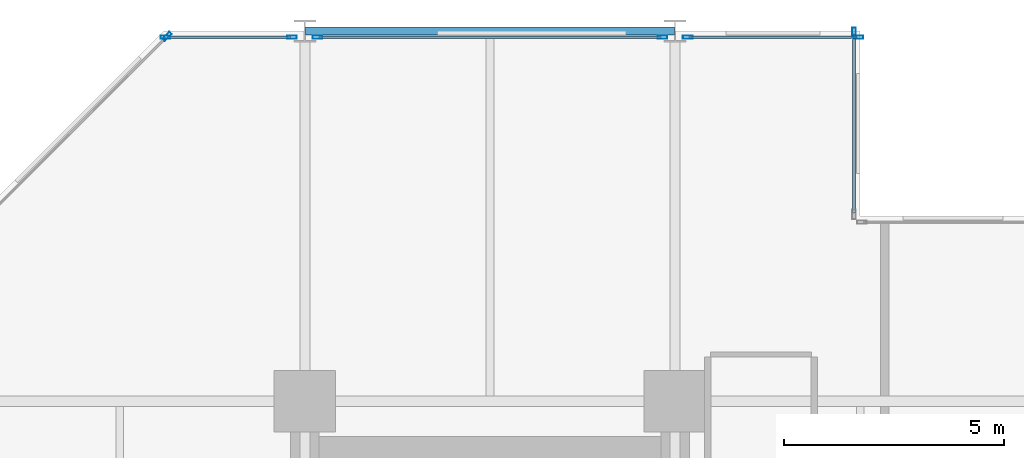
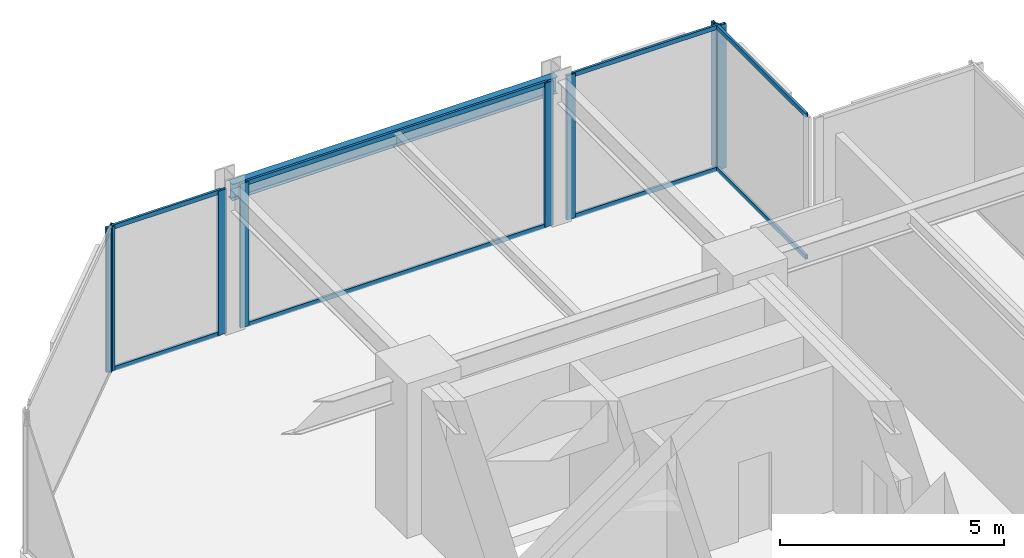
# One storey, part 19 of 26: 16 members, 1 beam, 5 elements without a shape of their own.
"""IFC4 building model written with IfcOpenShell, lengths in metres."""

from ifc_helpers import new_model, si_unit, direction, frame, origin, origin_2d, place, context, subcontext, project, spatial, hollow_rectangle, i_section, extrude, material, layer, layer_set, material_profile, profile_set, type_object, element, aggregate, save


model = new_model("IFC4")

# Units and contexts
model_context = context("Model", 3, precision=1e-05, world=origin(), true_north=direction((0.0, 1.0)))
body_context = subcontext(model_context, "Body", "Model", "MODEL_VIEW")
ifc_project = project(units=[si_unit("LENGTHUNIT", "METRE"), si_unit("AREAUNIT", "SQUARE_METRE"), si_unit("VOLUMEUNIT", "CUBIC_METRE"), si_unit("PLANEANGLEUNIT", "RADIAN"), si_unit("MASSUNIT", "GRAM", prefix="KILO")], contexts=[model_context])

# Site, building, storey
site_placement = place(None, origin())
site = spatial("IfcSite", under=ifc_project, at=site_placement, CompositionType="ELEMENT")
building_placement = place(site_placement, origin())
building = spatial("IfcBuilding", under=site, at=building_placement, Name="Nerrivon Quay Data Exchange", CompositionType="ELEMENT")
storey_placement = place(building_placement, frame((0.0, 0.0, 71.0)))
storey = spatial("IfcBuildingStorey", under=building, at=storey_placement, Name="L16", CompositionType="ELEMENT", Elevation=71.0)

# Beam
ifc_material_1 = material(Name="Steel Grade 350", Category="steel")
ifc_material_profile_1 = material_profile(ifc_material_1, i_section(OverallWidth=0.18994140625, OverallDepth=0.4541015625, WebThickness=0.008544921875, FlangeThickness=0.0126953125, FilletRadius=0.011474609375, at=origin_2d()), Name="460UB67.1")
ifc_profile_set_1 = profile_set([ifc_material_profile_1], Name="Steel Grade 350")
beam_type = type_object("IfcBeamType", Name="BM-SP1-460UB67", PredefinedType="SPANDREL", material=ifc_profile_set_1)
beam_placement = place(storey_placement, frame((8.4140625, 50.39990234375, 3.697998046875), z_axis=(1.0, 0.0, 0.0), x_axis=(0.0, 1.0, 0.0)))
element("IfcBeam", 1, at=beam_placement, inside=storey, type_object=beam_type, Name="L16 EW Girder Y=50.4 (8.4..16.8)", PredefinedType="SPANDREL", context=body_context, shape_type="SweptSolid", body=[
    extrude(i_section(OverallWidth=0.18994140625, OverallDepth=0.4541015625, WebThickness=0.008544921875, FlangeThickness=0.0126953125, FilletRadius=0.011474609375, at=origin_2d()), origin(), (0.0, 0.0, 1.0), 8.371826171875),
])

# Curtain wall, member
ifc_material_2 = material(Name="Anodised aluminium 6063-T6", Category="aluminium")
ifc_layer = layer(ifc_material_2, 0.219970703125)
ifc_layer_set = layer_set([ifc_layer], Name="Anodised aluminium 6063-T6")
curtain_wall_type = type_object("IfcCurtainWallType", Name="CW-SYS-01", PredefinedType="NOTDEFINED", material=ifc_layer_set)
curtain_wall_1_placement = place(storey_placement, origin())
curtain_wall_1 = element("IfcCurtainWall", 2, at=curtain_wall_1_placement, inside=storey, type_object=curtain_wall_type, Name="L16 Unitised Curtain Wall 23", PredefinedType="NOTDEFINED")
ifc_material_profile_2 = material_profile(ifc_material_2, hollow_rectangle(XDim=0.074951171875, YDim=0.219970703125, WallThickness=0.00390625, at=origin_2d()), Name="ALU-MULL-220x75")
ifc_profile_set_2 = profile_set([ifc_material_profile_2], Name="Anodised aluminium 6063-T6")
member_type_1 = type_object("IfcMemberType", Name="CWM-220x75", PredefinedType="MULLION", material=ifc_profile_set_2)
member_1_placement = place(storey_placement, frame((5.2724609375, 50.2744140625, 0.0), z_axis=(0.0, 0.0, 1.0), x_axis=(-0.707106781187, 0.707106781187, 0.0)))
member_1 = element("IfcMember", 3, at=member_1_placement, type_object=member_type_1, Name="CW01 mullion 2", PredefinedType="MULLION", context=body_context, shape_type="SweptSolid", body=[
    extrude(hollow_rectangle(XDim=0.074951171875, YDim=0.219970703125, WallThickness=0.00390625, at=origin_2d()), origin(), (0.0, 0.0, 1.0), 3.925048828125),
])
aggregate(curtain_wall_1, [member_1])

# Curtain wall, members
curtain_wall_2_placement = place(storey_placement, origin())
curtain_wall_2 = element("IfcCurtainWall", 4, at=curtain_wall_2_placement, inside=storey, type_object=curtain_wall_type, Name="L16 Unitised Curtain Wall 24", PredefinedType="NOTDEFINED")
member_2_placement = place(storey_placement, frame((5.237548828125, 50.260009765625, 0.0), z_axis=(0.0, 0.0, 1.0), x_axis=(0.0, 1.0, 0.0)))
member_2 = element("IfcMember", 5, at=member_2_placement, type_object=member_type_1, Name="CW01 mullion 1", PredefinedType="MULLION", context=body_context, shape_type="SweptSolid", body=[
    extrude(hollow_rectangle(XDim=0.074951171875, YDim=0.219970703125, WallThickness=0.00390625, at=origin_2d()), origin(), (0.0, 0.0, 1.0), 3.925048828125),
])
member_3_placement = place(storey_placement, frame((8.112548828125, 50.260009765625, 0.0), z_axis=(0.0, 0.0, 1.0), x_axis=(0.0, 1.0, 0.0)))
member_3 = element("IfcMember", 6, at=member_3_placement, type_object=member_type_1, Name="CW01 mullion 2", PredefinedType="MULLION", context=body_context, shape_type="SweptSolid", body=[
    extrude(hollow_rectangle(XDim=0.074951171875, YDim=0.219970703125, WallThickness=0.00390625, at=origin_2d()), origin(), (0.0, 0.0, 1.0), 3.925048828125),
])

curtain_wall_3_placement = place(storey_placement, origin())
curtain_wall_3 = element("IfcCurtainWall", 7, at=curtain_wall_3_placement, inside=storey, type_object=curtain_wall_type, Name="L16 Unitised Curtain Wall 25", PredefinedType="NOTDEFINED")
member_4_placement = place(storey_placement, frame((8.6875, 50.260009765625, 0.0), z_axis=(0.0, 0.0, 1.0), x_axis=(0.0, 1.0, 0.0)))
member_4 = element("IfcMember", 8, at=member_4_placement, type_object=member_type_1, Name="CW01 mullion 1", PredefinedType="MULLION", context=body_context, shape_type="SweptSolid", body=[
    extrude(hollow_rectangle(XDim=0.074951171875, YDim=0.219970703125, WallThickness=0.00390625, at=origin_2d()), origin(), (0.0, 0.0, 1.0), 3.925048828125),
])
member_5_placement = place(storey_placement, frame((16.512451171875, 50.260009765625, 0.0), z_axis=(0.0, 0.0, 1.0), x_axis=(0.0, 1.0, 0.0)))
member_5 = element("IfcMember", 9, at=member_5_placement, type_object=member_type_1, Name="CW01 mullion 2", PredefinedType="MULLION", context=body_context, shape_type="SweptSolid", body=[
    extrude(hollow_rectangle(XDim=0.074951171875, YDim=0.219970703125, WallThickness=0.00390625, at=origin_2d()), origin(), (0.0, 0.0, 1.0), 3.925048828125),
])

curtain_wall_4_placement = place(storey_placement, origin())
curtain_wall_4 = element("IfcCurtainWall", 10, at=curtain_wall_4_placement, inside=storey, type_object=curtain_wall_type, Name="L16 Unitised Curtain Wall 26", PredefinedType="NOTDEFINED")
member_6_placement = place(storey_placement, frame((17.08740234375, 50.260009765625, 0.0), z_axis=(0.0, 0.0, 1.0), x_axis=(0.0, 1.0, 0.0)))
member_6 = element("IfcMember", 11, at=member_6_placement, type_object=member_type_1, Name="CW01 mullion 1", PredefinedType="MULLION", context=body_context, shape_type="SweptSolid", body=[
    extrude(hollow_rectangle(XDim=0.074951171875, YDim=0.219970703125, WallThickness=0.00390625, at=origin_2d()), origin(), (0.0, 0.0, 1.0), 3.925048828125),
])
member_7_placement = place(storey_placement, frame((20.96240234375, 50.260009765625, 0.0), z_axis=(0.0, 0.0, 1.0), x_axis=(0.0, 1.0, 0.0)))
member_7 = element("IfcMember", 12, at=member_7_placement, type_object=member_type_1, Name="CW01 mullion 2", PredefinedType="MULLION", context=body_context, shape_type="SweptSolid", body=[
    extrude(hollow_rectangle(XDim=0.074951171875, YDim=0.219970703125, WallThickness=0.00390625, at=origin_2d()), origin(), (0.0, 0.0, 1.0), 3.925048828125),
])

# Curtain wall, member
curtain_wall_5_placement = place(storey_placement, origin())
curtain_wall_5 = element("IfcCurtainWall", 13, at=curtain_wall_5_placement, inside=storey, type_object=curtain_wall_type, Name="L16 Unitised Curtain Wall 27", PredefinedType="NOTDEFINED")
member_8_placement = place(storey_placement, frame((20.860107421875, 50.362548828125, 0.0), z_axis=(0.0, 0.0, 1.0), x_axis=(1.0, 0.0, 0.0)))
member_8 = element("IfcMember", 14, at=member_8_placement, type_object=member_type_1, Name="CW01 mullion 1", PredefinedType="MULLION", context=body_context, shape_type="SweptSolid", body=[
    extrude(hollow_rectangle(XDim=0.074951171875, YDim=0.219970703125, WallThickness=0.00390625, at=origin_2d()), origin(), (0.0, 0.0, 1.0), 3.925048828125),
])

# Member
ifc_material_profile_3 = material_profile(ifc_material_2, hollow_rectangle(XDim=0.06005859375, YDim=0.1201171875, WallThickness=0.003173828125, at=origin_2d()), Name="ALU-TRAN-120x60")
ifc_profile_set_3 = profile_set([ifc_material_profile_3], Name="Anodised aluminium 6063-T6")
member_type_2 = type_object("IfcMemberType", Name="CWT-120x60", PredefinedType="USERDEFINED", material=ifc_profile_set_3)
member_9_placement = place(storey_placement, frame((5.27490234375, 50.260009765625, 0.032470703125), z_axis=(1.0, 0.0, 0.0), x_axis=(0.0, 1.0, 0.0)))
member_9 = element("IfcMember", 15, at=member_9_placement, type_object=member_type_2, Name="CW01 transom 1.1", ObjectType="TRANSOM", PredefinedType="USERDEFINED", context=body_context, shape_type="SweptSolid", body=[
    extrude(hollow_rectangle(XDim=0.06005859375, YDim=0.1201171875, WallThickness=0.003173828125, at=origin_2d()), origin(), (0.0, 0.0, 1.0), 2.800048828125),
])

member_10_placement = place(storey_placement, frame((5.27490234375, 50.260009765625, 3.892578125), z_axis=(1.0, 0.0, 0.0), x_axis=(0.0, 1.0, 0.0)))
member_10 = element("IfcMember", 16, at=member_10_placement, type_object=member_type_2, Name="CW01 transom 1.2", ObjectType="TRANSOM", PredefinedType="USERDEFINED", context=body_context, shape_type="SweptSolid", body=[
    extrude(hollow_rectangle(XDim=0.06005859375, YDim=0.1201171875, WallThickness=0.003173828125, at=origin_2d()), origin(), (0.0, 0.0, 1.0), 2.800048828125),
])

aggregate(curtain_wall_2, [member_2, member_3, member_9, member_10])

member_11_placement = place(storey_placement, frame((8.72509765625, 50.260009765625, 0.032470703125), z_axis=(1.0, 0.0, 0.0), x_axis=(0.0, 1.0, 0.0)))
member_11 = element("IfcMember", 17, at=member_11_placement, type_object=member_type_2, Name="CW01 transom 1.1", ObjectType="TRANSOM", PredefinedType="USERDEFINED", context=body_context, shape_type="SweptSolid", body=[
    extrude(hollow_rectangle(XDim=0.06005859375, YDim=0.1201171875, WallThickness=0.003173828125, at=origin_2d()), origin(), (0.0, 0.0, 1.0), 7.75),
])

member_12_placement = place(storey_placement, frame((8.72509765625, 50.260009765625, 3.892578125), z_axis=(1.0, 0.0, 0.0), x_axis=(0.0, 1.0, 0.0)))
member_12 = element("IfcMember", 18, at=member_12_placement, type_object=member_type_2, Name="CW01 transom 1.2", ObjectType="TRANSOM", PredefinedType="USERDEFINED", context=body_context, shape_type="SweptSolid", body=[
    extrude(hollow_rectangle(XDim=0.06005859375, YDim=0.1201171875, WallThickness=0.003173828125, at=origin_2d()), origin(), (0.0, 0.0, 1.0), 7.75),
])

aggregate(curtain_wall_3, [member_4, member_5, member_11, member_12])

member_13_placement = place(storey_placement, frame((17.125, 50.260009765625, 0.032470703125), z_axis=(1.0, 0.0, 0.0), x_axis=(0.0, 1.0, 0.0)))
member_13 = element("IfcMember", 19, at=member_13_placement, type_object=member_type_2, Name="CW01 transom 1.1", ObjectType="TRANSOM", PredefinedType="USERDEFINED", context=body_context, shape_type="SweptSolid", body=[
    extrude(hollow_rectangle(XDim=0.06005859375, YDim=0.1201171875, WallThickness=0.003173828125, at=origin_2d()), origin(), (0.0, 0.0, 1.0), 3.800048828125),
])

member_14_placement = place(storey_placement, frame((17.125, 50.260009765625, 3.892578125), z_axis=(1.0, 0.0, 0.0), x_axis=(0.0, 1.0, 0.0)))
member_14 = element("IfcMember", 20, at=member_14_placement, type_object=member_type_2, Name="CW01 transom 1.2", ObjectType="TRANSOM", PredefinedType="USERDEFINED", context=body_context, shape_type="SweptSolid", body=[
    extrude(hollow_rectangle(XDim=0.06005859375, YDim=0.1201171875, WallThickness=0.003173828125, at=origin_2d()), origin(), (0.0, 0.0, 1.0), 3.800048828125),
])

aggregate(curtain_wall_4, [member_6, member_7, member_13, member_14])

member_15_placement = place(storey_placement, frame((20.860107421875, 50.324951171875, 0.032470703125), z_axis=(0.0, -1.0, 0.0), x_axis=(1.0, 0.0, 0.0)))
member_15 = element("IfcMember", 21, at=member_15_placement, type_object=member_type_2, Name="CW01 transom 1.1", ObjectType="TRANSOM", PredefinedType="USERDEFINED", context=body_context, shape_type="SweptSolid", body=[
    extrude(hollow_rectangle(XDim=0.06005859375, YDim=0.1201171875, WallThickness=0.003173828125, at=origin_2d()), origin(), (0.0, 0.0, 1.0), 4.050048828125),
])

member_16_placement = place(storey_placement, frame((20.860107421875, 50.324951171875, 3.892578125), z_axis=(0.0, -1.0, 0.0), x_axis=(1.0, 0.0, 0.0)))
member_16 = element("IfcMember", 22, at=member_16_placement, type_object=member_type_2, Name="CW01 transom 1.2", ObjectType="TRANSOM", PredefinedType="USERDEFINED", context=body_context, shape_type="SweptSolid", body=[
    extrude(hollow_rectangle(XDim=0.06005859375, YDim=0.1201171875, WallThickness=0.003173828125, at=origin_2d()), origin(), (0.0, 0.0, 1.0), 4.050048828125),
])

aggregate(curtain_wall_5, [member_8, member_15, member_16])

save(model, "model.ifc")
